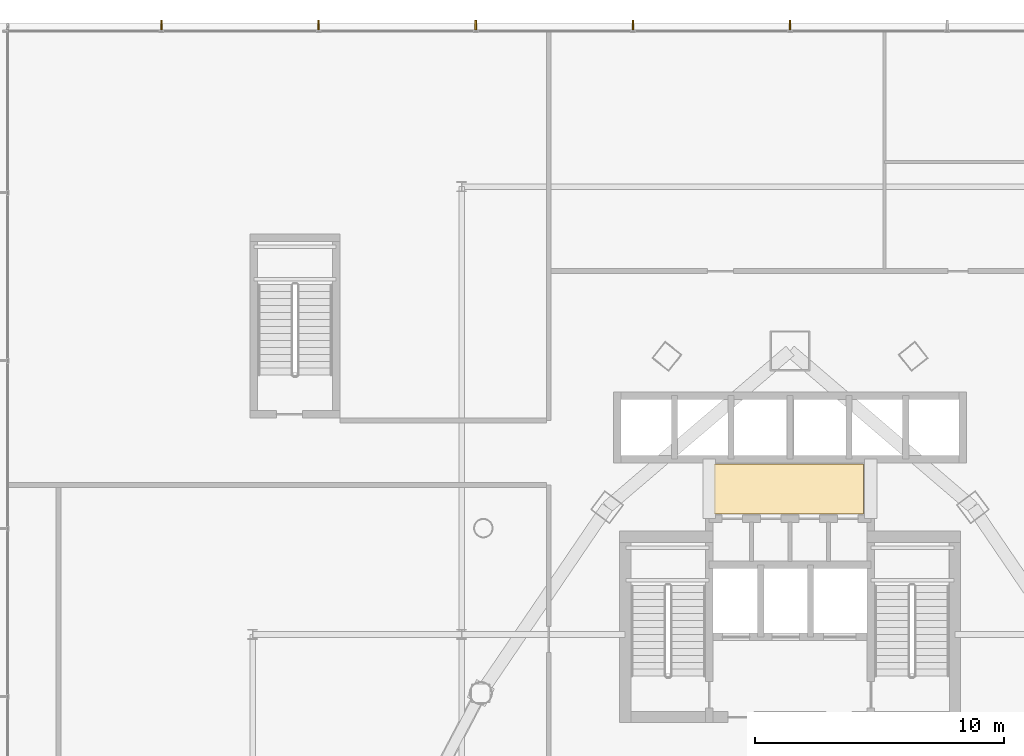
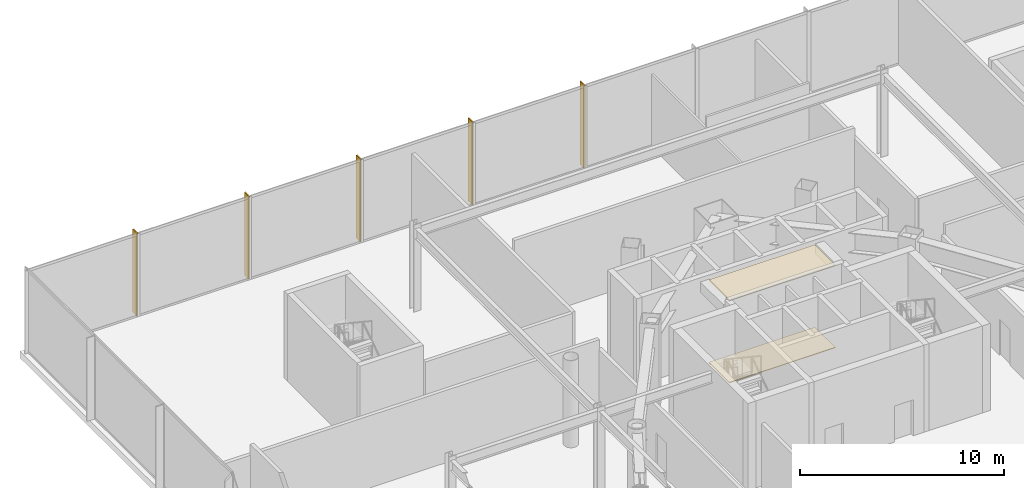
# One storey, part 42 of 43: 5 shading devices, 2 coverings.
"""IFC4 building model written with IfcOpenShell, lengths in metres."""

from ifc_helpers import new_model, si_unit, direction, frame, origin, origin_2d, place, context, subcontext, project, spatial, polyline, rectangle, outline, extrude, material, layer, layer_set, type_object, element, save


model = new_model("IFC4")

# Units and contexts
model_context = context("Model", 3, precision=1e-05, world=origin(), true_north=direction((0.0, 1.0)))
body_context = subcontext(model_context, "Body", "Model", "MODEL_VIEW")
ifc_project = project(units=[si_unit("LENGTHUNIT", "METRE"), si_unit("AREAUNIT", "SQUARE_METRE"), si_unit("VOLUMEUNIT", "CUBIC_METRE"), si_unit("PLANEANGLEUNIT", "RADIAN"), si_unit("MASSUNIT", "GRAM", prefix="KILO")], contexts=[model_context])

# Site, building, storey
site_placement = place(None, origin())
site = spatial("IfcSite", under=ifc_project, at=site_placement, CompositionType="ELEMENT")
building_placement = place(site_placement, origin())
building = spatial("IfcBuilding", under=site, at=building_placement, Name="Orvanel Arch Residences", CompositionType="ELEMENT")
storey_placement = place(building_placement, frame((0.0, 0.0, 18.39990234375)))
storey = spatial("IfcBuildingStorey", under=building, at=storey_placement, Name="L04", CompositionType="ELEMENT", Elevation=18.39990234375)

# Coverings
ifc_material_1 = material(Name="Perforated acoustic mineral-fibre ceiling tile", Category="gypsum")
ifc_layer_1 = layer(ifc_material_1, 0.050048828125)
ifc_layer_set_1 = layer_set([ifc_layer_1], Name="Perforated acoustic mineral-fibre ceiling tile")
covering_type_1 = type_object("IfcCoveringType", Name="COV-CLG-ACS50", PredefinedType="CEILING", material=ifc_layer_set_1)
covering_1_placement = place(storey_placement, frame((0.0, 0.0, 4.91015625)))
element("IfcCovering", 1, at=covering_1_placement, inside=storey, type_object=covering_type_1, Name="L04 Lift Lobby Acoustic Ceiling", PredefinedType="CEILING", context=body_context, shape_type="SweptSolid", body=[
    extrude(outline(polyline([(29.949951171875, 34.85009765625), (35.949951171875, 34.85009765625), (35.949951171875, 36.85009765625), (29.949951171875, 36.85009765625), (29.949951171875, 34.85009765625)])), origin(), (0.0, 0.0, 1.0), 0.050048828125),
])
ifc_material_2 = material(Name="Honed cementitious terrazzo floor finish", Category="concrete")
ifc_layer_2 = layer(ifc_material_2, 0.034912109375)
ifc_layer_set_2 = layer_set([ifc_layer_2], Name="Honed cementitious terrazzo floor finish")
covering_type_2 = type_object("IfcCoveringType", Name="COV-FLR-TRZ35", PredefinedType="FLOORING", material=ifc_layer_set_2)
covering_2_placement = place(storey_placement, origin())
element("IfcCovering", 2, at=covering_2_placement, inside=storey, type_object=covering_type_2, Name="L04 Lift Lobby Terrazzo Flooring", PredefinedType="FLOORING", context=body_context, shape_type="SweptSolid", body=[
    extrude(outline(polyline([(29.949951171875, 34.85009765625), (35.949951171875, 34.85009765625), (35.949951171875, 36.85009765625), (29.949951171875, 36.85009765625), (29.949951171875, 34.85009765625)])), origin(), (0.0, 0.0, 1.0), 0.03515625),
])

# Shading devices
ifc_material_3 = material(Name="Bronze-anodised aluminium AA6063-T6", Category="aluminium")
ifc_layer_3 = layer(ifc_material_3, 0.06494140625)
ifc_layer_set_3 = layer_set([ifc_layer_3], Name="Bronze-anodised aluminium AA6063-T6")
shading_device_type = type_object("IfcShadingDeviceType", Name="FIN-BRZ-420", PredefinedType="USERDEFINED", material=ifc_layer_set_3)
for number, where, z_axis, x_axis, name in (
    (3, (33.0, 54.489013671875, 0.0), (0.0, 0.0, 1.0), (0.0, 1.0, 0.0), "L04 Anodised Bronze Mullion FIN 05"),
    (4, (26.681884765625, 54.489013671875, 0.0), (0.0, 0.0, 1.0), (0.0, 1.0, 0.0), "L04 Anodised Bronze Mullion FIN 06"),
    (5, (20.364013671875, 54.489013671875, 0.0), (0.0, 0.0, 1.0), (0.0, 1.0, 0.0), "L04 Anodised Bronze Mullion FIN 07"),
    (6, (14.0458984375, 54.489013671875, 0.0), (0.0, 0.0, 1.0), (0.0, 1.0, 0.0), "L04 Anodised Bronze Mullion FIN 08"),
    (7, (7.72802734375, 54.489013671875, 0.0), (0.0, 0.0, 1.0), (0.0, 1.0, 0.0), "L04 Anodised Bronze Mullion FIN 09"),
):
    element("IfcShadingDevice", number, at=place(storey_placement, frame(where, z_axis=z_axis, x_axis=x_axis)), inside=storey, type_object=shading_device_type, Name=name, ObjectType="FIN", PredefinedType="USERDEFINED", context=body_context, shape_type="SweptSolid", body=[
        extrude(rectangle(XDim=0.419921875, YDim=0.06494140625, at=origin_2d()), origin(), (0.0, 0.0, 1.0), 4.9599609375),
    ])

save(model, "model.ifc")
